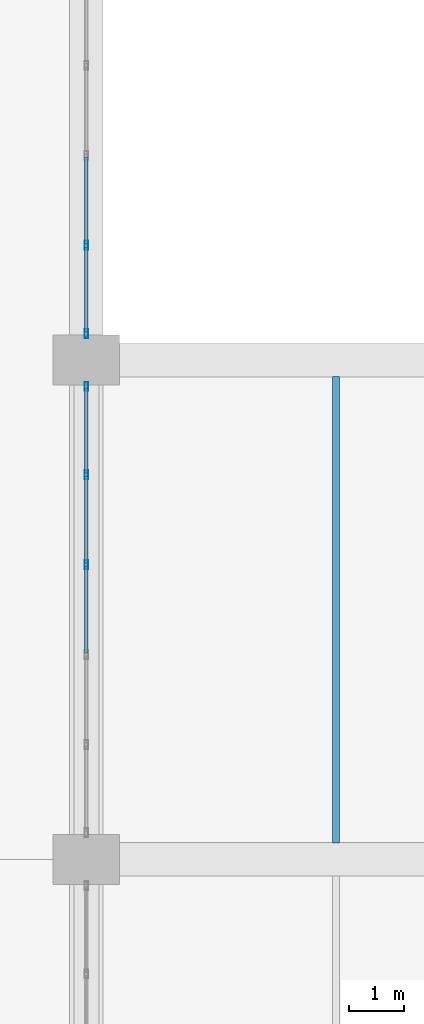
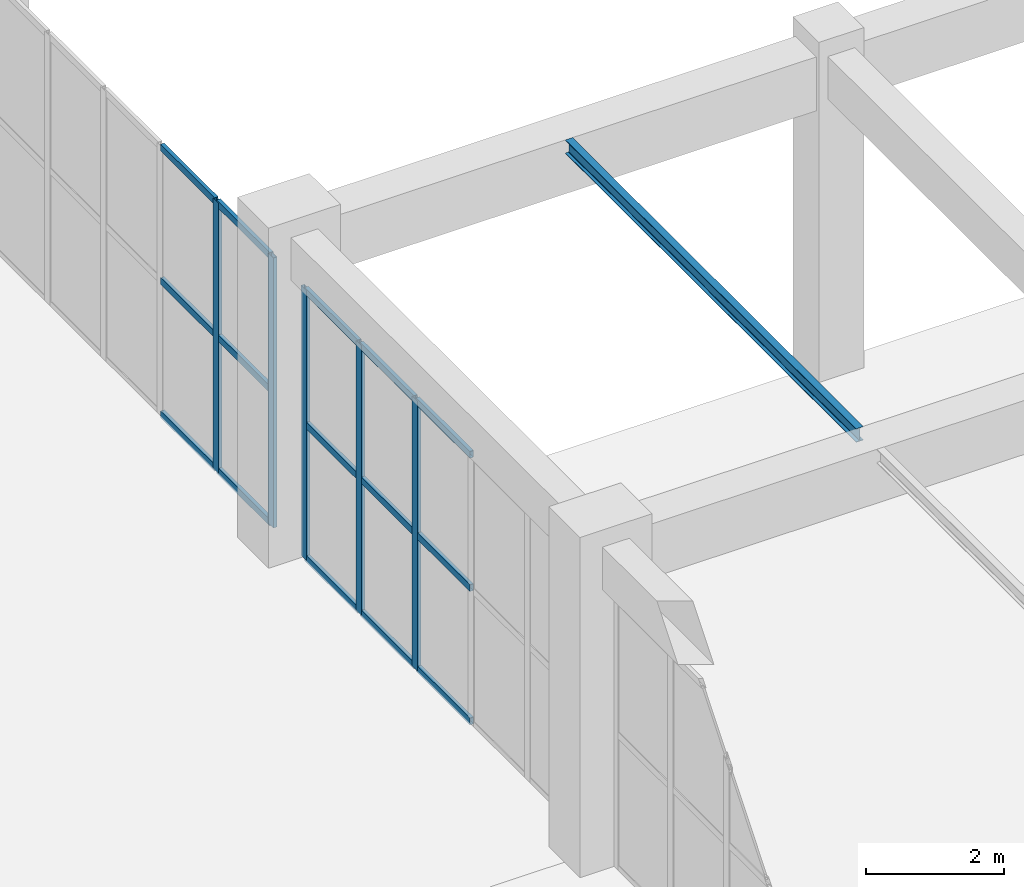
# One storey, part 44 of 91: 20 members, 1 beam, 2 elements without a shape of their own.
"""IFC4 building model written with IfcOpenShell, lengths in metres."""

import ifcopenshell
import ifcopenshell.guid

model = None  # the IFC model being written
_history = None  # IfcOwnerHistory: only IFC2X3 demands one
_inside = {}  # id of a spatial element -> (the spatial element, [elements in it])
_under = {}  # id of a project, library or spatial element -> (it, [spatial elements below it])
_declared = {}  # id of a project -> (the project, [libraries it declares])
_typed = {}  # id of a type object -> (the type object, [elements of that type])
_made_of = {}  # id of a material, layer set ... -> (it, [elements and type objects made of it])


def new_model(schema):
    """Start an empty IFC model of exactly this schema.

    Asked for "IFC4X3", IfcOpenShell would pick the latest addendum, in which some entities
    have other attributes; the version numbers below select the first issue.
    IFC2X3 requires an IfcOwnerHistory on every rooted entity: one is made here for all.
    """
    global model, _history
    if schema == "IFC4X3":
        model = ifcopenshell.file(schema_version=(4, 3, 0, 0))
    else:
        model = ifcopenshell.file(schema=schema)
    _inside.clear()
    _under.clear()
    _declared.clear()
    _typed.clear()
    _made_of.clear()
    _history = None
    if model.schema == "IFC2X3":
        org = make("IfcOrganization", Name="unknown")
        user = make(
            "IfcPersonAndOrganization",
            ThePerson=make("IfcPerson", FamilyName="unknown"),
            TheOrganization=org,
        )
        app = make(
            "IfcApplication",
            ApplicationDeveloper=org,
            Version="unknown",
            ApplicationFullName="unknown",
            ApplicationIdentifier="unknown",
        )
        _history = make(
            "IfcOwnerHistory",
            OwningUser=user,
            OwningApplication=app,
            ChangeAction="ADDED",
            CreationDate=0,
        )
    return model


def make(cls, **values):
    """One entity of the class cls with the attributes given. An attribute that is None is left unset."""
    return model.create_entity(
        cls, **{name: value for name, value in values.items() if value is not None}
    )


def rooted(cls, **values):
    """An entity with a GlobalId (a new one), such as an element, a storey or a relation."""
    return make(cls, GlobalId=ifcopenshell.guid.new(), OwnerHistory=_history, **values)


def si_unit(unit_type, name, prefix=None):
    """IfcSIUnit, for example si_unit("LENGTHUNIT", "METRE", prefix="MILLI")."""
    return make("IfcSIUnit", UnitType=unit_type, Prefix=prefix, Name=name)


def assignment(units):
    """IfcUnitAssignment: the units of a project."""
    return None if units is None else make("IfcUnitAssignment", Units=units)


def point(xyz):
    """IfcCartesianPoint."""
    return None if xyz is None else make("IfcCartesianPoint", Coordinates=xyz)


def direction(xyz):
    """IfcDirection."""
    return None if xyz is None else make("IfcDirection", DirectionRatios=xyz)


def frame(location, z_axis=None, x_axis=None):
    """IfcAxis2Placement3D, a coordinate frame: its origin and axes. An axis left out is left unset."""
    return make(
        "IfcAxis2Placement3D",
        Location=point(location),
        Axis=direction(z_axis),
        RefDirection=direction(x_axis),
    )


def frame_2d(location, x_axis=None):
    """IfcAxis2Placement2D, a coordinate frame in the plane: its origin and x axis."""
    return make(
        "IfcAxis2Placement2D", Location=point(location), RefDirection=direction(x_axis)
    )


def origin():
    """The frame at (0, 0, 0) with its axes left unset."""
    return frame((0.0, 0.0, 0.0))


def origin_2d():
    """The frame at (0, 0) in the plane with its x axis left unset."""
    return frame_2d((0.0, 0.0))


def place(relative_to, where):
    """IfcLocalPlacement: puts the frame where relative to a parent placement (None: the world)."""
    return make(
        "IfcLocalPlacement", PlacementRelTo=relative_to, RelativePlacement=where
    )


def context(
    kind, dimensions, precision=None, world=None, true_north=None, identifier=None
):
    """IfcGeometricRepresentationContext, for example the 3D "Model" context."""
    return make(
        "IfcGeometricRepresentationContext",
        ContextIdentifier=identifier,
        ContextType=kind,
        CoordinateSpaceDimension=dimensions,
        Precision=precision,
        WorldCoordinateSystem=world,
        TrueNorth=true_north,
    )


def subcontext(parent, identifier, kind, view, scale=None):
    """IfcGeometricRepresentationSubContext, for example "Body" below "Model"."""
    return make(
        "IfcGeometricRepresentationSubContext",
        ContextIdentifier=identifier,
        ContextType=kind,
        ParentContext=parent,
        TargetScale=scale,
        TargetView=view,
    )


def project(units=None, contexts=None):
    """IfcProject with its units and contexts."""
    return rooted(
        "IfcProject",
        Name="project",
        RepresentationContexts=contexts,
        UnitsInContext=assignment(units),
    )


def spatial(cls, under=None, at=None, **own):
    """A site, building, storey or space (cls), placed at a placement, below another one or the project."""
    s = rooted(cls, ObjectPlacement=at, **own)
    if under is not None:
        _under.setdefault(under.id(), (under, []))[1].append(s)
    return s


def profile(cls, at=None, kind="AREA", **sizes):
    """A parametric profile (cls). Its sizes go by their IFC names, for example OverallWidth=200.0."""
    return make(cls, ProfileType=kind, Position=at, **sizes)


def hollow_rectangle(**sizes):
    """IfcRectangleHollowProfileDef."""
    return profile("IfcRectangleHollowProfileDef", **sizes)


def i_section(**sizes):
    """IfcIShapeProfileDef."""
    return profile("IfcIShapeProfileDef", **sizes)


def extrude(swept, where, along, depth):
    """IfcExtrudedAreaSolid: the profile swept, set in the frame where, extruded along a direction by depth."""
    return make(
        "IfcExtrudedAreaSolid",
        SweptArea=swept,
        Position=where,
        ExtrudedDirection=direction(along),
        Depth=depth,
    )


def shape(context_of_items, identifier, shape_type, items):
    """IfcShapeRepresentation: the items that make up one representation, for example the "Body"."""
    return make(
        "IfcShapeRepresentation",
        ContextOfItems=context_of_items,
        RepresentationIdentifier=identifier,
        RepresentationType=shape_type,
        Items=items,
    )


def material(Name=None, Category=None):
    """IfcMaterial."""
    return make("IfcMaterial", Name=Name, Category=Category)


def layer(
    of_material, thickness, ventilated=None, Name=None, Category=None, Priority=None
):
    """IfcMaterialLayer: one layer of a wall or slab, of a material (None: an air gap)."""
    return make(
        "IfcMaterialLayer",
        Material=of_material,
        LayerThickness=thickness,
        IsVentilated=ventilated,
        Name=Name,
        Category=Category,
        Priority=Priority,
    )


def layer_set(layers, Name=None):
    """IfcMaterialLayerSet."""
    return make("IfcMaterialLayerSet", MaterialLayers=layers, LayerSetName=Name)


def material_profile(
    of_material, cross_section, Name=None, Category=None, Priority=None
):
    """IfcMaterialProfile: a cross section and its material."""
    return make(
        "IfcMaterialProfile",
        Name=Name,
        Material=of_material,
        Profile=cross_section,
        Priority=Priority,
        Category=Category,
    )


def profile_set(profiles, Name=None, composite=None):
    """IfcMaterialProfileSet."""
    return make(
        "IfcMaterialProfileSet",
        Name=Name,
        MaterialProfiles=profiles,
        CompositeProfile=composite,
    )


def made_of(thing, what):
    """Note that an element or type object is made of a material, layer set ...; save() writes the relation."""
    if what is not None:
        _made_of.setdefault(what.id(), (what, []))[1].append(thing)
    return thing


def type_object(cls, material=None, **own):
    """A type object (cls), such as IfcWallType, which elements share."""
    return made_of(rooted(cls, **own), material)


def element(
    cls,
    number,
    at=None,
    inside=None,
    cuts=None,
    type_object=None,
    material=None,
    context=None,
    identifier="Body",
    shape_type=None,
    held_by="IfcProductDefinitionShape",
    body=None,
    shapes=None,
    **own,
):
    """One element of the class cls, such as IfcWall. Its Tag is "e" and its number.

    at: its placement. inside: the storey or other place that contains it. cuts: it is an
    opening in that element (IfcRelVoidsElement). A single representation is given by context,
    identifier, shape_type and body (its items); several are given by shapes. held_by: the class
    of the entity that holds the representations. save() writes the other relations.
    """
    e = rooted(cls, Tag="e%d" % number, ObjectPlacement=at, **own)
    if body is not None:
        shapes = [shape(context, identifier, shape_type, body)]
    if shapes is not None:
        e.Representation = make(held_by, Representations=shapes)
    if inside is not None:
        _inside.setdefault(inside.id(), (inside, []))[1].append(e)
    if cuts is not None:
        rooted(
            "IfcRelVoidsElement", RelatingBuildingElement=cuts, RelatedOpeningElement=e
        )
    if type_object is not None:
        _typed.setdefault(type_object.id(), (type_object, []))[1].append(e)
    return made_of(e, material)


def aggregate(whole, parts):
    """IfcRelAggregates: a whole, such as a stair, and the parts it consists of."""
    return rooted("IfcRelAggregates", RelatingObject=whole, RelatedObjects=parts)


def save(model, path):
    """Write the relations noted so far, then the file.

    IfcRelAggregates (storeys below a building ...), IfcRelContainedInSpatialStructure (elements
    in a storey), IfcRelDefinesByType, IfcRelAssociatesMaterial and IfcRelDeclares: one each for
    every whole, place, type object, material and project.
    """
    for whole, parts in _under.values():
        aggregate(whole, parts)
    for where, things in _inside.values():
        rooted(
            "IfcRelContainedInSpatialStructure",
            RelatedElements=things,
            RelatingStructure=where,
        )
    for kind, things in _typed.values():
        rooted("IfcRelDefinesByType", RelatedObjects=things, RelatingType=kind)
    for what, things in _made_of.values():
        rooted("IfcRelAssociatesMaterial", RelatedObjects=things, RelatingMaterial=what)
    for by, libraries in _declared.values():
        rooted("IfcRelDeclares", RelatingContext=by, RelatedDefinitions=libraries)
    model.write(path)


model = new_model("IFC4")

# Units and contexts
model_context = context("Model", 3, precision=1e-05, world=origin(), true_north=direction((0.0, 1.0)))
body_context = subcontext(model_context, "Body", "Model", "MODEL_VIEW")
ifc_project = project(units=[si_unit("LENGTHUNIT", "METRE"), si_unit("AREAUNIT", "SQUARE_METRE"), si_unit("VOLUMEUNIT", "CUBIC_METRE"), si_unit("PLANEANGLEUNIT", "RADIAN"), si_unit("MASSUNIT", "GRAM", prefix="KILO")], contexts=[model_context])

# Site, building, storey
site_placement = place(None, origin())
site = spatial("IfcSite", under=ifc_project, at=site_placement, CompositionType="ELEMENT")
building_placement = place(site_placement, origin())
building = spatial("IfcBuilding", under=site, at=building_placement, Name="Dornveld Trade and Exhibition Forum", CompositionType="ELEMENT")
storey_placement = place(building_placement, origin())
storey = spatial("IfcBuildingStorey", under=building, at=storey_placement, Name="L00", CompositionType="ELEMENT", Elevation=0.0)

# Beam
ifc_material_1 = material(Name="Steel S355J2", Category="steel")
ifc_material_profile_1 = material_profile(ifc_material_1, i_section(OverallWidth=0.1201171875, OverallDepth=0.239990234375, WebThickness=0.006103515625, FlangeThickness=0.009765625, FilletRadius=0.014892578125, at=origin_2d()), Name="IPE 240")
ifc_profile_set_1 = profile_set([ifc_material_profile_1], Name="Steel S355J2")
beam_type = type_object("IfcBeamType", Name="BM-JOIST-240", PredefinedType="JOIST", material=ifc_profile_set_1)
beam_placement = place(storey_placement, frame((175.5, 135.297119140625, 5.580078125), z_axis=(0.0, 1.0, 0.0), x_axis=(-1.0, 0.0, 0.0)))
element("IfcBeam", 1, at=beam_placement, inside=storey, type_object=beam_type, Name="L00 secondary joist 1006", PredefinedType="JOIST", context=body_context, shape_type="SweptSolid", body=[
    extrude(i_section(OverallWidth=0.1201171875, OverallDepth=0.239990234375, WebThickness=0.006103515625, FlangeThickness=0.009765625, FilletRadius=0.014892578125, at=origin_2d()), origin(), (0.0, 0.0, 1.0), 8.40576171875),
])

# Curtain wall, members
ifc_material_2 = material(Name="Dark-bronze anodised aluminium and low-E glass", Category="aluminium")
ifc_layer_1 = layer(ifc_material_2, 0.154052734375)
ifc_layer_set_1 = layer_set([ifc_layer_1], Name="Dark-bronze anodised aluminium and low-E glass")
curtain_wall_type_1 = type_object("IfcCurtainWallType", Name="CW-SYS-04", PredefinedType="USERDEFINED", material=ifc_layer_set_1)
curtain_wall_1_placement = place(storey_placement, origin())
curtain_wall_1 = element("IfcCurtainWall", 2, at=curtain_wall_1_placement, inside=storey, type_object=curtain_wall_type_1, Name="L00 unitised curtain wall 4", ObjectType="UNITISED_CURTAIN_WALL", PredefinedType="USERDEFINED")
ifc_material_3 = material(Name="Dark-bronze anodised aluminium", Category="aluminium")
ifc_material_profile_2 = material_profile(ifc_material_3, hollow_rectangle(XDim=0.06005859375, YDim=0.159912109375, WallThickness=0.00390625, at=origin_2d()), Name="RHS 160x60x4")
ifc_profile_set_2 = profile_set([ifc_material_profile_2], Name="Dark-bronze anodised aluminium")
member_type_1 = type_object("IfcMemberType", Name="CW-MUL-160", PredefinedType="MULLION", material=ifc_profile_set_2)
member_1_placement = place(storey_placement, frame((171.0, 140.310791015625, -0.00390625), z_axis=(0.0, 0.0, 1.0), x_axis=(-1.0, 0.0, 0.0)))
member_1 = element("IfcMember", 3, at=member_1_placement, type_object=member_type_1, Name="CW-04 mullion 4", PredefinedType="MULLION", context=body_context, shape_type="SweptSolid", body=[
    extrude(hollow_rectangle(XDim=0.06005859375, YDim=0.159912109375, WallThickness=0.00390625, at=origin_2d()), origin(), (0.0, 0.0, 1.0), 4.763916015625),
])
member_2_placement = place(storey_placement, frame((171.0, 141.932373046875, -0.00390625), z_axis=(0.0, 0.0, 1.0), x_axis=(-1.0, 0.0, 0.0)))
member_2 = element("IfcMember", 4, at=member_2_placement, type_object=member_type_1, Name="CW-04 mullion 5", PredefinedType="MULLION", context=body_context, shape_type="SweptSolid", body=[
    extrude(hollow_rectangle(XDim=0.06005859375, YDim=0.159912109375, WallThickness=0.00390625, at=origin_2d()), origin(), (0.0, 0.0, 1.0), 4.763916015625),
])
member_3_placement = place(storey_placement, frame((171.0, 143.52392578125, -0.00390625), z_axis=(0.0, 0.0, 1.0), x_axis=(-1.0, 0.0, 0.0)))
member_3 = element("IfcMember", 5, at=member_3_placement, type_object=member_type_1, Name="CW-04 mullion 6", PredefinedType="MULLION", context=body_context, shape_type="SweptSolid", body=[
    extrude(hollow_rectangle(XDim=0.06005859375, YDim=0.159912109375, WallThickness=0.00390625, at=origin_2d()), origin(), (0.0, 0.0, 1.0), 4.763916015625),
])

ifc_material_4 = material(Name="Dark-bronze anodised aluminium and low-E glass", Category="aluminium")
ifc_layer_2 = layer(ifc_material_4, 0.156982421875)
ifc_layer_set_2 = layer_set([ifc_layer_2], Name="Dark-bronze anodised aluminium and low-E glass")
curtain_wall_type_2 = type_object("IfcCurtainWallType", Name="CW-SYS-05", PredefinedType="USERDEFINED", material=ifc_layer_set_2)
curtain_wall_2_placement = place(storey_placement, origin())
curtain_wall_2 = element("IfcCurtainWall", 6, at=curtain_wall_2_placement, inside=storey, type_object=curtain_wall_type_2, Name="L00 unitised curtain wall 5", ObjectType="UNITISED_CURTAIN_WALL", PredefinedType="USERDEFINED")
member_4_placement = place(storey_placement, frame((171.0, 144.47607421875, -0.00390625), z_axis=(0.0, 0.0, 1.0), x_axis=(-1.0, 0.0, 0.0)))
member_4 = element("IfcMember", 7, at=member_4_placement, type_object=member_type_1, Name="CW-05 mullion 1", PredefinedType="MULLION", context=body_context, shape_type="SweptSolid", body=[
    extrude(hollow_rectangle(XDim=0.06005859375, YDim=0.159912109375, WallThickness=0.00390625, at=origin_2d()), origin(), (0.0, 0.0, 1.0), 4.763916015625),
])
member_5_placement = place(storey_placement, frame((171.0, 146.067626953125, -0.00390625), z_axis=(0.0, 0.0, 1.0), x_axis=(-1.0, 0.0, 0.0)))
member_5 = element("IfcMember", 8, at=member_5_placement, type_object=member_type_1, Name="CW-05 mullion 2", PredefinedType="MULLION", context=body_context, shape_type="SweptSolid", body=[
    extrude(hollow_rectangle(XDim=0.06005859375, YDim=0.159912109375, WallThickness=0.00390625, at=origin_2d()), origin(), (0.0, 0.0, 1.0), 4.763916015625),
])

# Member
ifc_material_5 = material(Name="Dark-bronze anodised aluminium", Category="aluminium")
ifc_material_profile_3 = material_profile(ifc_material_5, hollow_rectangle(XDim=0.06005859375, YDim=0.1201171875, WallThickness=0.00390625, at=origin_2d()), Name="RHS 120x60x4")
ifc_profile_set_3 = profile_set([ifc_material_profile_3], Name="Dark-bronze anodised aluminium")
member_type_2 = type_object("IfcMemberType", Name="CW-TRN-120", PredefinedType="USERDEFINED", material=ifc_profile_set_3)
member_6_placement = place(storey_placement, frame((171.0, 138.71923828125, 0.02587890625), z_axis=(0.0, 1.0, 0.0), x_axis=(-1.0, 0.0, 0.0)))
member_6 = element("IfcMember", 9, at=member_6_placement, type_object=member_type_2, Name="CW-04 transom 3.1", ObjectType="TRANSOM", PredefinedType="USERDEFINED", context=body_context, shape_type="SweptSolid", body=[
    extrude(hollow_rectangle(XDim=0.06005859375, YDim=0.1201171875, WallThickness=0.00390625, at=origin_2d()), origin(), (0.0, 0.0, 1.0), 1.5615234375),
])

member_7_placement = place(storey_placement, frame((171.0, 138.71923828125, 2.3779296875), z_axis=(0.0, 1.0, 0.0), x_axis=(-1.0, 0.0, 0.0)))
member_7 = element("IfcMember", 10, at=member_7_placement, type_object=member_type_2, Name="CW-04 transom 3.2", ObjectType="TRANSOM", PredefinedType="USERDEFINED", context=body_context, shape_type="SweptSolid", body=[
    extrude(hollow_rectangle(XDim=0.06005859375, YDim=0.1201171875, WallThickness=0.00390625, at=origin_2d()), origin(), (0.0, 0.0, 1.0), 1.5615234375),
])

member_8_placement = place(storey_placement, frame((171.0, 138.71923828125, 4.72998046875), z_axis=(0.0, 1.0, 0.0), x_axis=(-1.0, 0.0, 0.0)))
member_8 = element("IfcMember", 11, at=member_8_placement, type_object=member_type_2, Name="CW-04 transom 3.3", ObjectType="TRANSOM", PredefinedType="USERDEFINED", context=body_context, shape_type="SweptSolid", body=[
    extrude(hollow_rectangle(XDim=0.06005859375, YDim=0.1201171875, WallThickness=0.00390625, at=origin_2d()), origin(), (0.0, 0.0, 1.0), 1.5615234375),
])

member_9_placement = place(storey_placement, frame((171.0, 140.3408203125, 0.02587890625), z_axis=(0.0, 1.0, 0.0), x_axis=(-1.0, 0.0, 0.0)))
member_9 = element("IfcMember", 12, at=member_9_placement, type_object=member_type_2, Name="CW-04 transom 4.1", ObjectType="TRANSOM", PredefinedType="USERDEFINED", context=body_context, shape_type="SweptSolid", body=[
    extrude(hollow_rectangle(XDim=0.06005859375, YDim=0.1201171875, WallThickness=0.00390625, at=origin_2d()), origin(), (0.0, 0.0, 1.0), 1.5615234375),
])

member_10_placement = place(storey_placement, frame((171.0, 140.3408203125, 2.3779296875), z_axis=(0.0, 1.0, 0.0), x_axis=(-1.0, 0.0, 0.0)))
member_10 = element("IfcMember", 13, at=member_10_placement, type_object=member_type_2, Name="CW-04 transom 4.2", ObjectType="TRANSOM", PredefinedType="USERDEFINED", context=body_context, shape_type="SweptSolid", body=[
    extrude(hollow_rectangle(XDim=0.06005859375, YDim=0.1201171875, WallThickness=0.00390625, at=origin_2d()), origin(), (0.0, 0.0, 1.0), 1.5615234375),
])

member_11_placement = place(storey_placement, frame((171.0, 140.3408203125, 4.72998046875), z_axis=(0.0, 1.0, 0.0), x_axis=(-1.0, 0.0, 0.0)))
member_11 = element("IfcMember", 14, at=member_11_placement, type_object=member_type_2, Name="CW-04 transom 4.3", ObjectType="TRANSOM", PredefinedType="USERDEFINED", context=body_context, shape_type="SweptSolid", body=[
    extrude(hollow_rectangle(XDim=0.06005859375, YDim=0.1201171875, WallThickness=0.00390625, at=origin_2d()), origin(), (0.0, 0.0, 1.0), 1.5615234375),
])

member_12_placement = place(storey_placement, frame((171.0, 141.96240234375, 0.02587890625), z_axis=(0.0, 1.0, 0.0), x_axis=(-1.0, 0.0, 0.0)))
member_12 = element("IfcMember", 15, at=member_12_placement, type_object=member_type_2, Name="CW-04 transom 5.1", ObjectType="TRANSOM", PredefinedType="USERDEFINED", context=body_context, shape_type="SweptSolid", body=[
    extrude(hollow_rectangle(XDim=0.06005859375, YDim=0.1201171875, WallThickness=0.00390625, at=origin_2d()), origin(), (0.0, 0.0, 1.0), 1.531494140625),
])

member_13_placement = place(storey_placement, frame((171.0, 141.96240234375, 2.3779296875), z_axis=(0.0, 1.0, 0.0), x_axis=(-1.0, 0.0, 0.0)))
member_13 = element("IfcMember", 16, at=member_13_placement, type_object=member_type_2, Name="CW-04 transom 5.2", ObjectType="TRANSOM", PredefinedType="USERDEFINED", context=body_context, shape_type="SweptSolid", body=[
    extrude(hollow_rectangle(XDim=0.06005859375, YDim=0.1201171875, WallThickness=0.00390625, at=origin_2d()), origin(), (0.0, 0.0, 1.0), 1.531494140625),
])

member_14_placement = place(storey_placement, frame((171.0, 141.96240234375, 4.72998046875), z_axis=(0.0, 1.0, 0.0), x_axis=(-1.0, 0.0, 0.0)))
member_14 = element("IfcMember", 17, at=member_14_placement, type_object=member_type_2, Name="CW-04 transom 5.3", ObjectType="TRANSOM", PredefinedType="USERDEFINED", context=body_context, shape_type="SweptSolid", body=[
    extrude(hollow_rectangle(XDim=0.06005859375, YDim=0.1201171875, WallThickness=0.00390625, at=origin_2d()), origin(), (0.0, 0.0, 1.0), 1.531494140625),
])

aggregate(curtain_wall_1, [member_1, member_2, member_3, member_6, member_7, member_8, member_9, member_10, member_11, member_12, member_13, member_14])

member_15_placement = place(storey_placement, frame((171.0, 144.506103515625, 0.02587890625), z_axis=(0.0, 1.0, 0.0), x_axis=(-1.0, 0.0, 0.0)))
member_15 = element("IfcMember", 18, at=member_15_placement, type_object=member_type_2, Name="CW-05 transom 1.1", ObjectType="TRANSOM", PredefinedType="USERDEFINED", context=body_context, shape_type="SweptSolid", body=[
    extrude(hollow_rectangle(XDim=0.06005859375, YDim=0.1201171875, WallThickness=0.00390625, at=origin_2d()), origin(), (0.0, 0.0, 1.0), 1.531494140625),
])

member_16_placement = place(storey_placement, frame((171.0, 144.506103515625, 2.3779296875), z_axis=(0.0, 1.0, 0.0), x_axis=(-1.0, 0.0, 0.0)))
member_16 = element("IfcMember", 19, at=member_16_placement, type_object=member_type_2, Name="CW-05 transom 1.2", ObjectType="TRANSOM", PredefinedType="USERDEFINED", context=body_context, shape_type="SweptSolid", body=[
    extrude(hollow_rectangle(XDim=0.06005859375, YDim=0.1201171875, WallThickness=0.00390625, at=origin_2d()), origin(), (0.0, 0.0, 1.0), 1.531494140625),
])

member_17_placement = place(storey_placement, frame((171.0, 144.506103515625, 4.72998046875), z_axis=(0.0, 1.0, 0.0), x_axis=(-1.0, 0.0, 0.0)))
member_17 = element("IfcMember", 20, at=member_17_placement, type_object=member_type_2, Name="CW-05 transom 1.3", ObjectType="TRANSOM", PredefinedType="USERDEFINED", context=body_context, shape_type="SweptSolid", body=[
    extrude(hollow_rectangle(XDim=0.06005859375, YDim=0.1201171875, WallThickness=0.00390625, at=origin_2d()), origin(), (0.0, 0.0, 1.0), 1.531494140625),
])

member_18_placement = place(storey_placement, frame((171.0, 146.09765625, 0.02587890625), z_axis=(0.0, 1.0, 0.0), x_axis=(-1.0, 0.0, 0.0)))
member_18 = element("IfcMember", 21, at=member_18_placement, type_object=member_type_2, Name="CW-05 transom 2.1", ObjectType="TRANSOM", PredefinedType="USERDEFINED", context=body_context, shape_type="SweptSolid", body=[
    extrude(hollow_rectangle(XDim=0.06005859375, YDim=0.1201171875, WallThickness=0.00390625, at=origin_2d()), origin(), (0.0, 0.0, 1.0), 1.5615234375),
])

member_19_placement = place(storey_placement, frame((171.0, 146.09765625, 2.3779296875), z_axis=(0.0, 1.0, 0.0), x_axis=(-1.0, 0.0, 0.0)))
member_19 = element("IfcMember", 22, at=member_19_placement, type_object=member_type_2, Name="CW-05 transom 2.2", ObjectType="TRANSOM", PredefinedType="USERDEFINED", context=body_context, shape_type="SweptSolid", body=[
    extrude(hollow_rectangle(XDim=0.06005859375, YDim=0.1201171875, WallThickness=0.00390625, at=origin_2d()), origin(), (0.0, 0.0, 1.0), 1.5615234375),
])

member_20_placement = place(storey_placement, frame((171.0, 146.09765625, 4.72998046875), z_axis=(0.0, 1.0, 0.0), x_axis=(-1.0, 0.0, 0.0)))
member_20 = element("IfcMember", 23, at=member_20_placement, type_object=member_type_2, Name="CW-05 transom 2.3", ObjectType="TRANSOM", PredefinedType="USERDEFINED", context=body_context, shape_type="SweptSolid", body=[
    extrude(hollow_rectangle(XDim=0.06005859375, YDim=0.1201171875, WallThickness=0.00390625, at=origin_2d()), origin(), (0.0, 0.0, 1.0), 1.5615234375),
])

aggregate(curtain_wall_2, [member_4, member_5, member_15, member_16, member_17, member_18, member_19, member_20])

save(model, "model.ifc")
